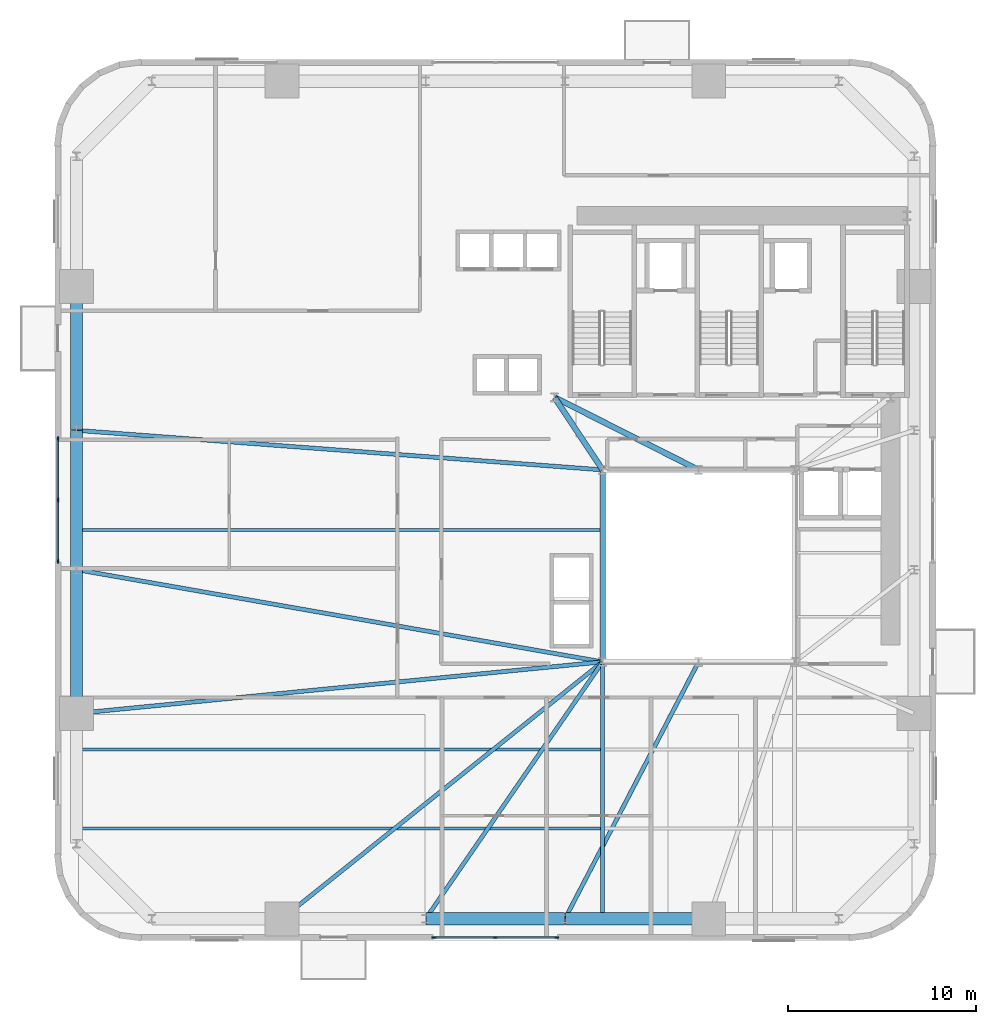
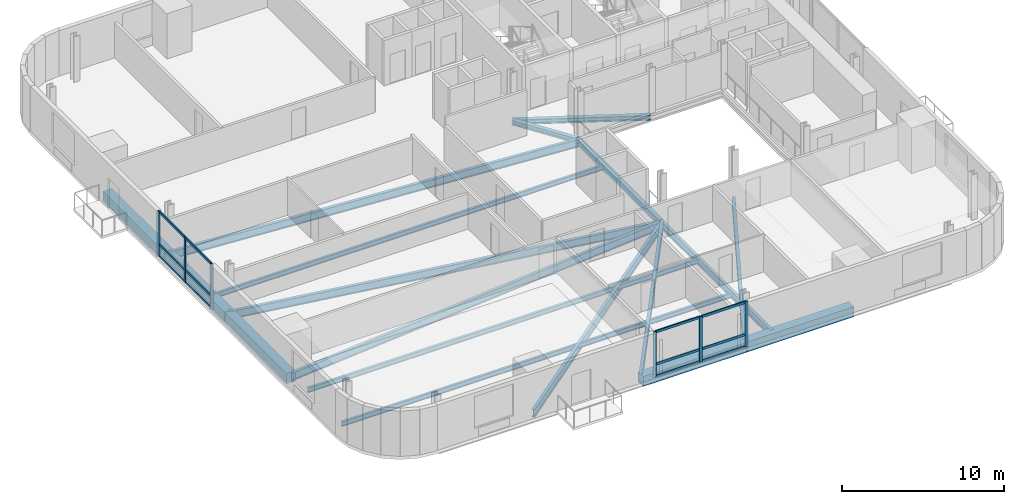
# One storey, part 2 of 13: 18 beams, 18 members, 2 elements without a shape of their own.
"""IFC4 building model written with IfcOpenShell, lengths in metres."""

from ifc_helpers import new_model, si_unit, direction, frame, origin, origin_2d, place, context, subcontext, project, spatial, rectangle, i_section, extrude, source, transform, mapped, material, material_profile, profile_set, type_object, element, aggregate, save


model = new_model("IFC4")

# Units and contexts
model_context = context("Model", 3, precision=1e-05, world=origin(), true_north=direction((0.0, 1.0)))
body_context = subcontext(model_context, "Body", "Model", "MODEL_VIEW")
ifc_project = project(units=[si_unit("LENGTHUNIT", "METRE"), si_unit("AREAUNIT", "SQUARE_METRE"), si_unit("VOLUMEUNIT", "CUBIC_METRE"), si_unit("PLANEANGLEUNIT", "RADIAN"), si_unit("MASSUNIT", "GRAM", prefix="KILO")], contexts=[model_context])

# Site, building, storey
site_placement = place(None, origin())
site = spatial("IfcSite", under=ifc_project, at=site_placement, CompositionType="ELEMENT")
building_placement = place(site_placement, origin())
building = spatial("IfcBuilding", under=site, at=building_placement, Name="Vardaveli Station Tower", CompositionType="ELEMENT")
storey_placement = place(building_placement, frame((0.0, 0.0, 71.39990234375)))
storey = spatial("IfcBuildingStorey", under=building, at=storey_placement, Name="L18", CompositionType="ELEMENT", Elevation=71.39990234375)

# Beams
ifc_material_1 = material(Name="Structural steel S355J2", Category="steel")
ifc_material_profile_1 = material_profile(ifc_material_1, i_section(OverallWidth=0.300048828125, OverallDepth=0.449951171875, WebThickness=0.013916015625, FlangeThickness=0.02587890625, FilletRadius=0.027099609375, at=origin_2d()), Name="HEB 450")
ifc_profile_set_1 = profile_set([ifc_material_profile_1], Name="Structural steel S355J2")
beam_type_1 = type_object("IfcBeamType", Name="BM-HEB450", PredefinedType="BEAM", material=ifc_profile_set_1)
shared_shape_1 = source(origin(), body_context, "Body", "SweptSolid", [
    extrude(i_section(OverallWidth=0.300048828125, OverallDepth=0.449951171875, WebThickness=0.013916015625, FlangeThickness=0.02587890625, FilletRadius=0.027099609375, at=origin_2d()), origin(), (0.0, 0.0, 1.0), 10.159912109375),
])
beam_1_placement = place(storey_placement, frame((31.199951171875, 26.780029296875, -0.46484375), z_axis=(0.0, -1.0, 0.0), x_axis=(1.0, 0.0, 0.0)))
element("IfcBeam", 1, at=beam_1_placement, inside=storey, type_object=beam_type_1, Name="ABM-L18-06", PredefinedType="BEAM", context=body_context, shape_type="MappedRepresentation", body=[
    mapped(shared_shape_1, transform((0.0, 0.0, 0.0), scale=1.0)),
])
ifc_material_profile_2 = material_profile(ifc_material_1, i_section(OverallWidth=0.300048828125, OverallDepth=0.360107421875, WebThickness=0.012451171875, FlangeThickness=0.0224609375, FilletRadius=0.027099609375, at=origin_2d()), Name="HEB 360")
ifc_profile_set_2 = profile_set([ifc_material_profile_2], Name="Structural steel S355J2")
beam_type_2 = type_object("IfcBeamType", Name="BM-HEB360", PredefinedType="BEAM", material=ifc_profile_set_2)
shared_shape_2 = source(origin(), body_context, "Body", "SweptSolid", [
    extrude(i_section(OverallWidth=0.300048828125, OverallDepth=0.360107421875, WebThickness=0.012451171875, FlangeThickness=0.0224609375, FilletRadius=0.027099609375, at=origin_2d()), origin(), (0.0, 0.0, 1.0), 4.577880859375),
])
beam_2_placement = place(storey_placement, frame((31.18896484375, 26.816650390625, -0.419921875), z_axis=(-0.55218702139, 0.833720272879, 0.0), x_axis=(-0.833720272879, -0.55218702139, 0.0)))
element("IfcBeam", 2, at=beam_2_placement, inside=storey, type_object=beam_type_2, Name="CBM-L18-01", PredefinedType="BEAM", context=body_context, shape_type="MappedRepresentation", body=[
    mapped(shared_shape_2, transform((0.0, 0.0, 0.0), scale=1.0)),
])
shared_shape_3 = source(origin(), body_context, "Body", "SweptSolid", [
    extrude(i_section(OverallWidth=0.300048828125, OverallDepth=0.360107421875, WebThickness=0.012451171875, FlangeThickness=0.0224609375, FilletRadius=0.027099609375, at=origin_2d()), origin(), (0.0, 0.0, 1.0), 8.524169921875),
])
beam_3_placement = place(storey_placement, frame((28.66796875, 30.64111328125, -0.419921875), z_axis=(0.893255584708, -0.449549174605, 0.0), x_axis=(0.449549174605, 0.893255584708, 0.0)))
element("IfcBeam", 3, at=beam_3_placement, inside=storey, type_object=beam_type_2, Name="CBM-L18-03", PredefinedType="BEAM", context=body_context, shape_type="MappedRepresentation", body=[
    mapped(shared_shape_3, transform((0.0, 0.0, 0.0), scale=1.0)),
])
ifc_material_2 = material(Name="Precast concrete C45/55", Category="concrete")
ifc_material_profile_3 = material_profile(ifc_material_2, rectangle(XDim=0.64990234375, YDim=0.75, at=origin_2d()), Name="LPB 650x750")
ifc_profile_set_3 = profile_set([ifc_material_profile_3], Name="Precast concrete C45/55")
beam_type_3 = type_object("IfcBeamType", Name="BM-LPB-750", PredefinedType="BEAM", material=ifc_profile_set_3)
shared_shape_4 = source(origin(), body_context, "Body", "SweptSolid", [
    extrude(rectangle(XDim=0.64990234375, YDim=0.75, at=origin_2d()), origin(), (0.0, 0.0, 1.0), 7.60009765625),
])
for number, where, z_axis, x_axis, name in (
    (4, (29.219970703125, 2.949951171875, -0.614990234375), (1.0, 0.0, 0.0), (0.0, 1.0, 0.0), "RBM-L18-03"),
    (5, (3.25, 36.52001953125, -0.614990234375), (0.0, -1.0, 0.0), (1.0, 0.0, 0.0), "RBM-L18-19"),
    (6, (3.25, 21.47998046875, -0.614990234375), (0.0, -1.0, 0.0), (1.0, 0.0, 0.0), "RBM-L18-21"),
):
    element("IfcBeam", number, at=place(storey_placement, frame(where, z_axis=z_axis, x_axis=x_axis)), inside=storey, type_object=beam_type_3, Name=name, PredefinedType="BEAM", context=body_context, shape_type="MappedRepresentation", body=[
        mapped(shared_shape_4, transform((0.0, 0.0, 0.0), scale=1.0)),
    ])
shared_shape_5 = source(origin(), body_context, "Body", "SweptSolid", [
    extrude(rectangle(XDim=0.64990234375, YDim=0.75, at=origin_2d()), origin(), (0.0, 0.0, 1.0), 7.35986328125),
])
for number, where, z_axis, x_axis, name in (
    (7, (21.820068359375, 2.949951171875, -0.614990234375), (1.0, 0.0, 0.0), (0.0, 1.0, 0.0), "RBM-L18-02"),
    (8, (3.25, 28.8798828125, -0.614990234375), (0.0, -1.0, 0.0), (1.0, 0.0, 0.0), "RBM-L18-20"),
):
    element("IfcBeam", number, at=place(storey_placement, frame(where, z_axis=z_axis, x_axis=x_axis)), inside=storey, type_object=beam_type_3, Name=name, PredefinedType="BEAM", context=body_context, shape_type="MappedRepresentation", body=[
        mapped(shared_shape_5, transform((0.0, 0.0, 0.0), scale=1.0)),
    ])
ifc_material_profile_4 = material_profile(ifc_material_1, i_section(OverallWidth=0.219970703125, OverallDepth=0.60009765625, WebThickness=0.011962890625, FlangeThickness=0.01904296875, FilletRadius=0.02392578125, at=origin_2d()), Name="IPE 600")
ifc_profile_set_4 = profile_set([ifc_material_profile_4], Name="Structural steel S355J2")
beam_type_4 = type_object("IfcBeamType", Name="BM-IPE600", PredefinedType="BEAM", material=ifc_profile_set_4)
shared_shape_6 = source(origin(), body_context, "Body", "SweptSolid", [
    extrude(i_section(OverallWidth=0.219970703125, OverallDepth=0.60009765625, WebThickness=0.011962890625, FlangeThickness=0.01904296875, FilletRadius=0.02392578125, at=origin_2d()), origin(), (0.0, 0.0, 1.0), 21.793212890625),
])
beam_4_placement = place(storey_placement, frame((14.175537109375, 2.96240234375, -0.539794921875), z_axis=(0.780466445023, 0.625197671296, 0.0), x_axis=(-0.625197671296, 0.780466445023, 0.0)))
element("IfcBeam", 9, at=beam_4_placement, inside=storey, type_object=beam_type_4, Name="GBM-L18-01", PredefinedType="BEAM", context=body_context, shape_type="MappedRepresentation", body=[
    mapped(shared_shape_6, transform((0.0, 0.0, 0.0), scale=1.0)),
])
shared_shape_7 = source(origin(), body_context, "Body", "SweptSolid", [
    extrude(i_section(OverallWidth=0.219970703125, OverallDepth=0.60009765625, WebThickness=0.011962890625, FlangeThickness=0.01904296875, FilletRadius=0.02392578125, at=origin_2d()), origin(), (0.0, 0.0, 1.0), 16.533447265625),
])
beam_5_placement = place(storey_placement, frame((21.811279296875, 2.966552734375, -0.539794921875), z_axis=(0.567177272103, 0.823595739431, 0.0), x_axis=(-0.823595739431, 0.567177272103, 0.0)))
element("IfcBeam", 10, at=beam_5_placement, inside=storey, type_object=beam_type_4, Name="GBM-L18-02", PredefinedType="BEAM", context=body_context, shape_type="MappedRepresentation", body=[
    mapped(shared_shape_7, transform((0.0, 0.0, 0.0), scale=1.0)),
])
shared_shape_8 = source(origin(), body_context, "Body", "SweptSolid", [
    extrude(i_section(OverallWidth=0.219970703125, OverallDepth=0.60009765625, WebThickness=0.011962890625, FlangeThickness=0.01904296875, FilletRadius=0.02392578125, at=origin_2d()), origin(), (0.0, 0.0, 1.0), 15.34619140625),
])
beam_6_placement = place(storey_placement, frame((29.209228515625, 2.9677734375, -0.539794921875), z_axis=(0.461455420507, 0.887163398075, 0.0), x_axis=(-0.887163398075, 0.461455420507, 0.0)))
element("IfcBeam", 11, at=beam_6_placement, inside=storey, type_object=beam_type_4, Name="GBM-L18-03", PredefinedType="BEAM", context=body_context, shape_type="MappedRepresentation", body=[
    mapped(shared_shape_8, transform((0.0, 0.0, 0.0), scale=1.0)),
])
shared_shape_9 = source(origin(), body_context, "Body", "SweptSolid", [
    extrude(i_section(OverallWidth=0.219970703125, OverallDepth=0.60009765625, WebThickness=0.011962890625, FlangeThickness=0.01904296875, FilletRadius=0.02392578125, at=origin_2d()), origin(), (0.0, 0.0, 1.0), 27.98876953125),
])
beam_7_placement = place(storey_placement, frame((3.27001953125, 28.8984375, -0.539794921875), z_axis=(0.99718954315, -0.074920057611, 0.0), x_axis=(0.074920057611, 0.99718954315, 0.0)))
element("IfcBeam", 12, at=beam_7_placement, inside=storey, type_object=beam_type_4, Name="GBM-L18-08", PredefinedType="BEAM", context=body_context, shape_type="MappedRepresentation", body=[
    mapped(shared_shape_9, transform((0.0, 0.0, 0.0), scale=1.0)),
])
shared_shape_10 = source(origin(), body_context, "Body", "SweptSolid", [
    extrude(i_section(OverallWidth=0.219970703125, OverallDepth=0.60009765625, WebThickness=0.011962890625, FlangeThickness=0.01904296875, FilletRadius=0.02392578125, at=origin_2d()), origin(), (0.0, 0.0, 1.0), 28.33642578125),
])
beam_8_placement = place(storey_placement, frame((3.269775390625, 21.49658203125, -0.539794921875), z_axis=(0.984978267336, -0.172678350921, 0.0), x_axis=(0.172678350921, 0.984978267336, 0.0)))
element("IfcBeam", 13, at=beam_8_placement, inside=storey, type_object=beam_type_4, Name="GBM-L18-09", PredefinedType="BEAM", context=body_context, shape_type="MappedRepresentation", body=[
    mapped(shared_shape_10, transform((0.0, 0.0, 0.0), scale=1.0)),
])
shared_shape_11 = source(origin(), body_context, "Body", "SweptSolid", [
    extrude(i_section(OverallWidth=0.219970703125, OverallDepth=0.60009765625, WebThickness=0.011962890625, FlangeThickness=0.01904296875, FilletRadius=0.02392578125, at=origin_2d()), origin(), (0.0, 0.0, 1.0), 28.0439453125),
])
beam_9_placement = place(storey_placement, frame((3.27001953125, 13.862060546875, -0.539794921875), z_axis=(0.995229237856, 0.097564153855, 0.0), x_axis=(-0.097564153855, 0.995229237856, 0.0)))
element("IfcBeam", 14, at=beam_9_placement, inside=storey, type_object=beam_type_4, Name="GBM-L18-10", PredefinedType="BEAM", context=body_context, shape_type="MappedRepresentation", body=[
    mapped(shared_shape_11, transform((0.0, 0.0, 0.0), scale=1.0)),
])
ifc_material_profile_5 = material_profile(ifc_material_1, i_section(OverallWidth=0.2099609375, OverallDepth=0.550048828125, WebThickness=0.010986328125, FlangeThickness=0.01708984375, FilletRadius=0.02392578125, at=origin_2d()), Name="IPE 550")
ifc_profile_set_5 = profile_set([ifc_material_profile_5], Name="Structural steel S355J2")
beam_type_5 = type_object("IfcBeamType", Name="BM-IPE550", PredefinedType="BEAM", material=ifc_profile_set_5)
shared_shape_12 = source(origin(), body_context, "Body", "SweptSolid", [
    extrude(i_section(OverallWidth=0.2099609375, OverallDepth=0.550048828125, WebThickness=0.010986328125, FlangeThickness=0.01708984375, FilletRadius=0.02392578125, at=origin_2d()), origin(), (0.0, 0.0, 1.0), 13.469970703125),
])
beam_10_placement = place(storey_placement, frame((31.199951171875, 2.989990234375, -0.514892578125), z_axis=(0.0, 1.0, 0.0), x_axis=(-1.0, 0.0, 0.0)))
element("IfcBeam", 15, at=beam_10_placement, inside=storey, type_object=beam_type_5, Name="NSM-L18-S1", PredefinedType="BEAM", context=body_context, shape_type="MappedRepresentation", body=[
    mapped(shared_shape_12, transform((0.0, 0.0, 0.0), scale=1.0)),
])
ifc_material_profile_6 = material_profile(ifc_material_1, i_section(OverallWidth=0.169921875, OverallDepth=0.360107421875, WebThickness=0.008056640625, FlangeThickness=0.0126953125, FilletRadius=0.01806640625, at=origin_2d()), Name="IPE 360")
ifc_profile_set_6 = profile_set([ifc_material_profile_6], Name="Structural steel S355J2")
beam_type_6 = type_object("IfcBeamType", Name="BM-IPE360", PredefinedType="JOIST", material=ifc_profile_set_6)
shared_shape_13 = source(origin(), body_context, "Body", "SweptSolid", [
    extrude(i_section(OverallWidth=0.169921875, OverallDepth=0.360107421875, WebThickness=0.008056640625, FlangeThickness=0.0126953125, FilletRadius=0.01806640625, at=origin_2d()), origin(), (0.0, 0.0, 1.0), 27.7978515625),
])
for number, where, z_axis, x_axis, name in (
    (16, (3.2900390625, 7.75, -0.419921875), (1.0, 0.0, 0.0), (0.0, 1.0, 0.0), "SJ-L18-S01"),
    (17, (3.2900390625, 11.949951171875, -0.419921875), (1.0, 0.0, 0.0), (0.0, 1.0, 0.0), "SJ-L18-S04"),
    (18, (3.2900390625, 23.60009765625, -0.419921875), (1.0, 0.0, 0.0), (0.0, 1.0, 0.0), "SJ-L18-W08"),
):
    element("IfcBeam", number, at=place(storey_placement, frame(where, z_axis=z_axis, x_axis=x_axis)), inside=storey, type_object=beam_type_6, Name=name, PredefinedType="JOIST", context=body_context, shape_type="MappedRepresentation", body=[
        mapped(shared_shape_13, transform((0.0, 0.0, 0.0), scale=1.0)),
    ])

# Curtain wall, members
ifc_material_3 = material(Name="Travertine stone and solar-control glass", Category="masonry")
curtain_wall_type = type_object("IfcCurtainWallType", Name="CW-SYS-2", PredefinedType="NOTDEFINED", material=ifc_material_3)
curtain_wall_1_placement = place(storey_placement, origin())
curtain_wall_1 = element("IfcCurtainWall", 19, at=curtain_wall_1_placement, inside=storey, type_object=curtain_wall_type, Name="CW-L18-S", PredefinedType="NOTDEFINED")
ifc_material_4 = material(Name="Anodised aluminium alloy 6063-T6", Category="aluminium")
ifc_material_profile_7 = material_profile(ifc_material_4, rectangle(XDim=0.0849609375, YDim=0.179931640625, at=origin_2d()), Name="CWT 85x180")
ifc_profile_set_7 = profile_set([ifc_material_profile_7], Name="Anodised aluminium alloy 6063-T6")
member_type_1 = type_object("IfcMemberType", Name="CW-SYS-2-TRAN", PredefinedType="NOTDEFINED", material=ifc_profile_set_7)
shared_shape_14 = source(origin(), body_context, "Body", "SweptSolid", [
    extrude(rectangle(XDim=0.0849609375, YDim=0.179931640625, at=origin_2d()), origin(), (0.0, 0.0, 1.0), 3.172607421875),
])
member_1_placement = place(storey_placement, frame((22.284912109375, 1.9599609375, 0.04248046875), z_axis=(1.0, 0.0, 0.0), x_axis=(0.0, 1.0, 0.0)))
member_1 = element("IfcMember", 20, at=member_1_placement, type_object=member_type_1, Name="CW-2 transom 1.1", ObjectType="TRANSOM", PredefinedType="USERDEFINED", context=body_context, shape_type="MappedRepresentation", body=[
    mapped(shared_shape_14, transform((0.0, 0.0, 0.0), scale=1.0)),
])
member_2_placement = place(storey_placement, frame((22.284912109375, 1.9599609375, 0.9501953125), z_axis=(1.0, 0.0, 0.0), x_axis=(0.0, 1.0, 0.0)))
member_2 = element("IfcMember", 21, at=member_2_placement, type_object=member_type_1, Name="CW-2 transom 1.2", ObjectType="TRANSOM", PredefinedType="USERDEFINED", context=body_context, shape_type="MappedRepresentation", body=[
    mapped(shared_shape_14, transform((0.0, 0.0, 0.0), scale=1.0)),
])
member_3_placement = place(storey_placement, frame((22.284912109375, 1.9599609375, 3.36767578125), z_axis=(1.0, 0.0, 0.0), x_axis=(0.0, 1.0, 0.0)))
member_3 = element("IfcMember", 22, at=member_3_placement, type_object=member_type_1, Name="CW-2 transom 1.3", ObjectType="TRANSOM", PredefinedType="USERDEFINED", context=body_context, shape_type="MappedRepresentation", body=[
    mapped(shared_shape_14, transform((0.0, 0.0, 0.0), scale=1.0)),
])
member_4_placement = place(storey_placement, frame((25.54248046875, 1.9599609375, 0.04248046875), z_axis=(1.0, 0.0, 0.0), x_axis=(0.0, 1.0, 0.0)))
member_4 = element("IfcMember", 23, at=member_4_placement, type_object=member_type_1, Name="CW-2 transom 2.1", ObjectType="TRANSOM", PredefinedType="USERDEFINED", context=body_context, shape_type="MappedRepresentation", body=[
    mapped(shared_shape_14, transform((0.0, 0.0, 0.0), scale=1.0)),
])
member_5_placement = place(storey_placement, frame((25.54248046875, 1.9599609375, 0.9501953125), z_axis=(1.0, 0.0, 0.0), x_axis=(0.0, 1.0, 0.0)))
member_5 = element("IfcMember", 24, at=member_5_placement, type_object=member_type_1, Name="CW-2 transom 2.2", ObjectType="TRANSOM", PredefinedType="USERDEFINED", context=body_context, shape_type="MappedRepresentation", body=[
    mapped(shared_shape_14, transform((0.0, 0.0, 0.0), scale=1.0)),
])
member_6_placement = place(storey_placement, frame((25.54248046875, 1.9599609375, 3.36767578125), z_axis=(1.0, 0.0, 0.0), x_axis=(0.0, 1.0, 0.0)))
member_6 = element("IfcMember", 25, at=member_6_placement, type_object=member_type_1, Name="CW-2 transom 2.3", ObjectType="TRANSOM", PredefinedType="USERDEFINED", context=body_context, shape_type="MappedRepresentation", body=[
    mapped(shared_shape_14, transform((0.0, 0.0, 0.0), scale=1.0)),
])

curtain_wall_2_placement = place(storey_placement, origin())
curtain_wall_2 = element("IfcCurtainWall", 26, at=curtain_wall_2_placement, inside=storey, type_object=curtain_wall_type, Name="CW-L18-W", PredefinedType="NOTDEFINED")
member_7_placement = place(storey_placement, frame((2.260009765625, 28.4150390625, 0.04248046875), z_axis=(0.0, -1.0, 0.0), x_axis=(1.0, 0.0, 0.0)))
member_7 = element("IfcMember", 27, at=member_7_placement, type_object=member_type_1, Name="CW-2 transom 1.1", ObjectType="TRANSOM", PredefinedType="USERDEFINED", context=body_context, shape_type="MappedRepresentation", body=[
    mapped(shared_shape_14, transform((0.0, 0.0, 0.0), scale=1.0)),
])
member_8_placement = place(storey_placement, frame((2.260009765625, 28.4150390625, 0.9501953125), z_axis=(0.0, -1.0, 0.0), x_axis=(1.0, 0.0, 0.0)))
member_8 = element("IfcMember", 28, at=member_8_placement, type_object=member_type_1, Name="CW-2 transom 1.2", ObjectType="TRANSOM", PredefinedType="USERDEFINED", context=body_context, shape_type="MappedRepresentation", body=[
    mapped(shared_shape_14, transform((0.0, 0.0, 0.0), scale=1.0)),
])
member_9_placement = place(storey_placement, frame((2.260009765625, 28.4150390625, 3.36767578125), z_axis=(0.0, -1.0, 0.0), x_axis=(1.0, 0.0, 0.0)))
member_9 = element("IfcMember", 29, at=member_9_placement, type_object=member_type_1, Name="CW-2 transom 1.3", ObjectType="TRANSOM", PredefinedType="USERDEFINED", context=body_context, shape_type="MappedRepresentation", body=[
    mapped(shared_shape_14, transform((0.0, 0.0, 0.0), scale=1.0)),
])
shared_shape_15 = source(origin(), body_context, "Body", "SweptSolid", [
    extrude(rectangle(XDim=0.0849609375, YDim=0.179931640625, at=origin_2d()), origin(), (0.0, 0.0, 1.0), 3.17236328125),
])
member_10_placement = place(storey_placement, frame((2.260009765625, 25.157470703125, 0.04248046875), z_axis=(0.0, -1.0, 0.0), x_axis=(1.0, 0.0, 0.0)))
member_10 = element("IfcMember", 30, at=member_10_placement, type_object=member_type_1, Name="CW-2 transom 2.1", ObjectType="TRANSOM", PredefinedType="USERDEFINED", context=body_context, shape_type="MappedRepresentation", body=[
    mapped(shared_shape_15, transform((0.0, 0.0, 0.0), scale=1.0)),
])
member_11_placement = place(storey_placement, frame((2.260009765625, 25.157470703125, 0.9501953125), z_axis=(0.0, -1.0, 0.0), x_axis=(1.0, 0.0, 0.0)))
member_11 = element("IfcMember", 31, at=member_11_placement, type_object=member_type_1, Name="CW-2 transom 2.2", ObjectType="TRANSOM", PredefinedType="USERDEFINED", context=body_context, shape_type="MappedRepresentation", body=[
    mapped(shared_shape_15, transform((0.0, 0.0, 0.0), scale=1.0)),
])
member_12_placement = place(storey_placement, frame((2.260009765625, 25.157470703125, 3.36767578125), z_axis=(0.0, -1.0, 0.0), x_axis=(1.0, 0.0, 0.0)))
member_12 = element("IfcMember", 32, at=member_12_placement, type_object=member_type_1, Name="CW-2 transom 2.3", ObjectType="TRANSOM", PredefinedType="USERDEFINED", context=body_context, shape_type="MappedRepresentation", body=[
    mapped(shared_shape_15, transform((0.0, 0.0, 0.0), scale=1.0)),
])

# Member
ifc_material_profile_8 = material_profile(ifc_material_4, rectangle(XDim=0.0849609375, YDim=0.219970703125, at=origin_2d()), Name="CWM 85x220")
ifc_profile_set_8 = profile_set([ifc_material_profile_8], Name="Anodised aluminium alloy 6063-T6")
member_type_2 = type_object("IfcMemberType", Name="CW-SYS-2-MULL", PredefinedType="MULLION", material=ifc_profile_set_8)
shared_shape_16 = source(origin(), body_context, "Body", "SweptSolid", [
    extrude(rectangle(XDim=0.0849609375, YDim=0.219970703125, at=origin_2d()), origin(), (0.0, 0.0, 1.0), 3.41015625),
])
member_13_placement = place(storey_placement, frame((22.242431640625, 1.9599609375, 0.0), z_axis=(0.0, 0.0, 1.0), x_axis=(0.0, 1.0, 0.0)))
member_13 = element("IfcMember", 33, at=member_13_placement, type_object=member_type_2, Name="CW-2 mullion 1", PredefinedType="MULLION", context=body_context, shape_type="MappedRepresentation", body=[
    mapped(shared_shape_16, transform((0.0, 0.0, 0.0), scale=1.0)),
])

member_14_placement = place(storey_placement, frame((25.5, 1.9599609375, 0.0), z_axis=(0.0, 0.0, 1.0), x_axis=(0.0, 1.0, 0.0)))
member_14 = element("IfcMember", 34, at=member_14_placement, type_object=member_type_2, Name="CW-2 mullion 2", PredefinedType="MULLION", context=body_context, shape_type="MappedRepresentation", body=[
    mapped(shared_shape_16, transform((0.0, 0.0, 0.0), scale=1.0)),
])

member_15_placement = place(storey_placement, frame((28.757568359375, 1.9599609375, 0.0), z_axis=(0.0, 0.0, 1.0), x_axis=(0.0, 1.0, 0.0)))
member_15 = element("IfcMember", 35, at=member_15_placement, type_object=member_type_2, Name="CW-2 mullion 3", PredefinedType="MULLION", context=body_context, shape_type="MappedRepresentation", body=[
    mapped(shared_shape_16, transform((0.0, 0.0, 0.0), scale=1.0)),
])

aggregate(curtain_wall_1, [member_13, member_14, member_15, member_1, member_2, member_3, member_4, member_5, member_6])

member_16_placement = place(storey_placement, frame((2.260009765625, 28.45751953125, 0.0), z_axis=(0.0, 0.0, 1.0), x_axis=(1.0, 0.0, 0.0)))
member_16 = element("IfcMember", 36, at=member_16_placement, type_object=member_type_2, Name="CW-2 mullion 1", PredefinedType="MULLION", context=body_context, shape_type="MappedRepresentation", body=[
    mapped(shared_shape_16, transform((0.0, 0.0, 0.0), scale=1.0)),
])

member_17_placement = place(storey_placement, frame((2.260009765625, 25.199951171875, 0.0), z_axis=(0.0, 0.0, 1.0), x_axis=(1.0, 0.0, 0.0)))
member_17 = element("IfcMember", 37, at=member_17_placement, type_object=member_type_2, Name="CW-2 mullion 2", PredefinedType="MULLION", context=body_context, shape_type="MappedRepresentation", body=[
    mapped(shared_shape_16, transform((0.0, 0.0, 0.0), scale=1.0)),
])

member_18_placement = place(storey_placement, frame((2.260009765625, 21.9423828125, 0.0), z_axis=(0.0, 0.0, 1.0), x_axis=(1.0, 0.0, 0.0)))
member_18 = element("IfcMember", 38, at=member_18_placement, type_object=member_type_2, Name="CW-2 mullion 3", PredefinedType="MULLION", context=body_context, shape_type="MappedRepresentation", body=[
    mapped(shared_shape_16, transform((0.0, 0.0, 0.0), scale=1.0)),
])

aggregate(curtain_wall_2, [member_16, member_17, member_18, member_7, member_8, member_9, member_10, member_11, member_12])

save(model, "model.ifc")
